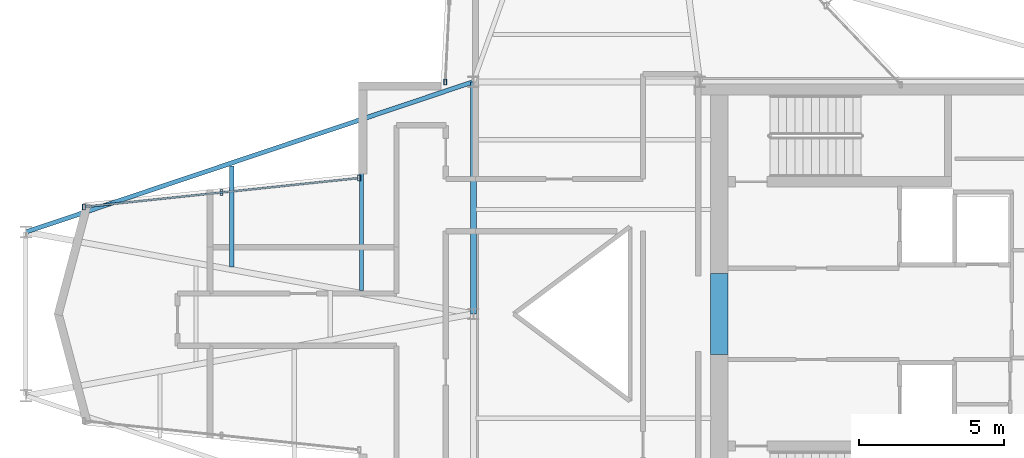
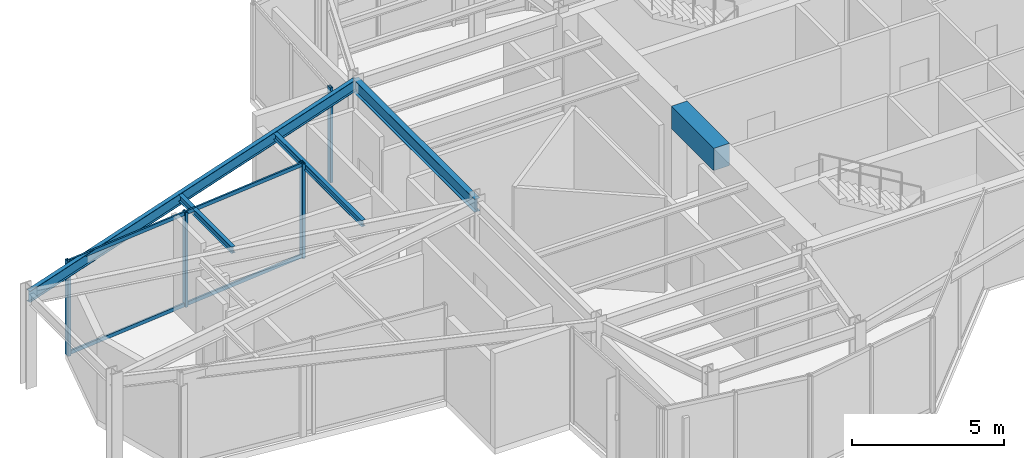
# One storey, part 4 of 13: 6 members, 5 beams, 2 elements without a shape of their own.
"""IFC4 building model written with IfcOpenShell, lengths in metres."""

from ifc_helpers import new_model, si_unit, direction, frame, origin, origin_2d, place, context, subcontext, project, spatial, rectangle, hollow_rectangle, i_section, extrude, material, layer, layer_set, material_profile, profile_set, type_object, element, aggregate, save


model = new_model("IFC4")

# Units and contexts
model_context = context("Model", 3, precision=1e-05, world=origin(), true_north=direction((0.0, 1.0)))
body_context = subcontext(model_context, "Body", "Model", "MODEL_VIEW")
ifc_project = project(units=[si_unit("LENGTHUNIT", "METRE"), si_unit("AREAUNIT", "SQUARE_METRE"), si_unit("VOLUMEUNIT", "CUBIC_METRE"), si_unit("PLANEANGLEUNIT", "RADIAN"), si_unit("MASSUNIT", "GRAM", prefix="KILO")], contexts=[model_context])

# Site, building, storey
site_placement = place(None, origin())
site = spatial("IfcSite", under=ifc_project, at=site_placement, CompositionType="ELEMENT")
building_placement = place(site_placement, origin())
building = spatial("IfcBuilding", under=site, at=building_placement, Name="Veymaron Broadcast Tower", CompositionType="ELEMENT")
storey_placement = place(building_placement, frame((0.0, 0.0, 291.14990234375)))
storey = spatial("IfcBuildingStorey", under=building, at=storey_placement, Name="L68", CompositionType="ELEMENT", Elevation=291.14990234375)

# Beams
ifc_material_1 = material(Name="Concrete C60/75", Category="concrete")
ifc_material_profile_1 = material_profile(ifc_material_1, rectangle(XDim=0.60009765625, YDim=0.89990234375, at=origin_2d()), Name="RC600X900")
ifc_profile_set_1 = profile_set([ifc_material_profile_1], Name="Concrete C60/75")
beam_type_1 = type_object("IfcBeamType", Name="BM-CB2", PredefinedType="LINTEL", material=ifc_profile_set_1)
beam_1_placement = place(storey_placement, frame((39.679931640625, 22.60009765625, 3.360107421875), z_axis=(0.0, 1.0, 0.0), x_axis=(-1.0, 0.0, 0.0)))
element("IfcBeam", 1, at=beam_1_placement, inside=storey, type_object=beam_type_1, Name="L68 Core Wall west coupling beam", PredefinedType="LINTEL", context=body_context, shape_type="SweptSolid", body=[
    extrude(rectangle(XDim=0.60009765625, YDim=0.89990234375, at=origin_2d()), origin(), (0.0, 0.0, 1.0), 2.7998046875),
])
ifc_material_2 = material(Name="Structural steel ASTM A992 Gr 50", Category="steel")
ifc_material_profile_2 = material_profile(ifc_material_2, i_section(OverallWidth=0.208984375, OverallDepth=0.528076171875, WebThickness=0.009521484375, FlangeThickness=0.01318359375, at=origin_2d()), Name="W530X82")
ifc_profile_set_2 = profile_set([ifc_material_profile_2], Name="Structural steel ASTM A992 Gr 50")
beam_type_2 = type_object("IfcBeamType", Name="BM-FG4", PredefinedType="BEAM", material=ifc_profile_set_2)
beam_2_placement = place(storey_placement, frame((31.199951171875, 24.0, 3.546142578125), z_axis=(0.0, 1.0, 0.0), x_axis=(-1.0, 0.0, 0.0)))
element("IfcBeam", 2, at=beam_2_placement, inside=storey, type_object=beam_type_2, Name="L68 primary structural floor girder", PredefinedType="BEAM", context=body_context, shape_type="SweptSolid", body=[
    extrude(i_section(OverallWidth=0.208984375, OverallDepth=0.528076171875, WebThickness=0.009521484375, FlangeThickness=0.01318359375, at=origin_2d()), origin(), (0.0, 0.0, 1.0), 8.0),
])
ifc_material_profile_3 = material_profile(ifc_material_2, i_section(OverallWidth=0.14599609375, OverallDepth=0.258056640625, WebThickness=0.006103515625, FlangeThickness=0.009033203125, at=origin_2d()), Name="W250X33")
ifc_profile_set_3 = profile_set([ifc_material_profile_3], Name="Structural steel ASTM A992 Gr 50")
beam_type_3 = type_object("IfcBeamType", Name="BM-JS4", PredefinedType="JOIST", material=ifc_profile_set_3)
beam_3_placement = place(storey_placement, frame((22.871337890625, 25.623779296875, 3.68115234375), z_axis=(0.0, 1.0, 0.0), x_axis=(-1.0, 0.0, 0.0)))
element("IfcBeam", 3, at=beam_3_placement, inside=storey, type_object=beam_type_3, Name="L68 Arm-A secondary joist 1N", PredefinedType="JOIST", context=body_context, shape_type="SweptSolid", body=[
    extrude(i_section(OverallWidth=0.14599609375, OverallDepth=0.258056640625, WebThickness=0.006103515625, FlangeThickness=0.009033203125, at=origin_2d()), origin(), (0.0, 0.0, 1.0), 3.480224609375),
])
beam_4_placement = place(storey_placement, frame((27.343994140625, 24.805419921875, 3.68115234375), z_axis=(0.0, 1.0, 0.0), x_axis=(-1.0, 0.0, 0.0)))
element("IfcBeam", 4, at=beam_4_placement, inside=storey, type_object=beam_type_3, Name="L68 Arm-A secondary joist 2N", PredefinedType="JOIST", context=body_context, shape_type="SweptSolid", body=[
    extrude(i_section(OverallWidth=0.14599609375, OverallDepth=0.258056640625, WebThickness=0.006103515625, FlangeThickness=0.009033203125, at=origin_2d()), origin(), (0.0, 0.0, 1.0), 5.800048828125),
])
ifc_material_profile_4 = material_profile(ifc_material_2, i_section(OverallWidth=0.154052734375, OverallDepth=0.458984375, WebThickness=0.009033203125, FlangeThickness=0.015380859375, at=origin_2d()), Name="W460X68")
ifc_profile_set_4 = profile_set([ifc_material_profile_4], Name="Structural steel ASTM A992 Gr 50")
beam_type_4 = type_object("IfcBeamType", Name="BM-SP2", PredefinedType="SPANDREL", material=ifc_profile_set_4)
beam_5_placement = place(storey_placement, frame((15.7763671875, 26.822021484375, 3.58056640625), z_axis=(0.948002845498, 0.318261849627, 0.0), x_axis=(-0.318261849627, 0.948002845498, 0.0)))
element("IfcBeam", 5, at=beam_5_placement, inside=storey, type_object=beam_type_4, Name="L68 primary structural floor girder", PredefinedType="SPANDREL", context=body_context, shape_type="SweptSolid", body=[
    extrude(i_section(OverallWidth=0.154052734375, OverallDepth=0.458984375, WebThickness=0.009033203125, FlangeThickness=0.015380859375, at=origin_2d()), origin(), (0.0, 0.0, 1.0), 16.26953125),
])

# Curtain wall, member
ifc_material_3 = material(Name="Anodised aluminium AA 6063-T6 and laminated low-E dark glass", Category="aluminium")
ifc_layer = layer(ifc_material_3, 0.179931640625)
ifc_layer_set = layer_set([ifc_layer], Name="Anodised aluminium AA 6063-T6 and laminated low-E dark glass")
curtain_wall_type = type_object("IfcCurtainWallType", Name="CW-SYS-06", PredefinedType="NOTDEFINED", material=ifc_layer_set)
curtain_wall_1_placement = place(storey_placement, origin())
curtain_wall_1 = element("IfcCurtainWall", 6, at=curtain_wall_1_placement, inside=storey, type_object=curtain_wall_type, Name="L68 dark-glass curtain wall CW-L68-E8-1", PredefinedType="NOTDEFINED")
ifc_material_4 = material(Name="Anodised aluminium AA 6063-T6", Category="aluminium")
ifc_material_profile_5 = material_profile(ifc_material_4, hollow_rectangle(XDim=0.10009765625, YDim=0.199951171875, WallThickness=0.010009765625, at=origin_2d()), Name="RHS200X100X10")
ifc_profile_set_5 = profile_set([ifc_material_profile_5], Name="Anodised aluminium AA 6063-T6")
member_type_1 = type_object("IfcMemberType", Name="CW-MUL-01", PredefinedType="MULLION", material=ifc_profile_set_5)
member_1_placement = place(storey_placement, frame((30.23046875, 31.992919921875, 0.0), z_axis=(0.0, 0.0, 1.0), x_axis=(1.0, 0.0, 0.0)))
member_1 = element("IfcMember", 7, at=member_1_placement, type_object=member_type_1, Name="CW-L68-E8-1 mullion 2", PredefinedType="MULLION", context=body_context, shape_type="SweptSolid", body=[
    extrude(hollow_rectangle(XDim=0.10009765625, YDim=0.199951171875, WallThickness=0.010009765625, at=origin_2d()), origin(), (0.0, 0.0, 1.0), 3.81005859375),
])
aggregate(curtain_wall_1, [member_1])

# Curtain wall, members
curtain_wall_2_placement = place(storey_placement, origin())
curtain_wall_2 = element("IfcCurtainWall", 8, at=curtain_wall_2_placement, inside=storey, type_object=curtain_wall_type, Name="L68 dark-glass curtain wall CW-L68-E11-1", PredefinedType="NOTDEFINED")
member_2_placement = place(storey_placement, frame((27.26416015625, 28.683837890625, 0.0), z_axis=(0.0, 0.0, 1.0), x_axis=(1.0, 0.0, 0.0)))
member_2 = element("IfcMember", 9, at=member_2_placement, type_object=member_type_1, Name="CW-L68-E11-1 mullion 0", PredefinedType="MULLION", context=body_context, shape_type="SweptSolid", body=[
    extrude(hollow_rectangle(XDim=0.10009765625, YDim=0.199951171875, WallThickness=0.010009765625, at=origin_2d()), origin(), (0.0, 0.0, 1.0), 3.81005859375),
])
member_3_placement = place(storey_placement, frame((22.519287109375, 28.18505859375, 0.0), z_axis=(0.0, 0.0, 1.0), x_axis=(1.0, 0.0, 0.0)))
member_3 = element("IfcMember", 10, at=member_3_placement, type_object=member_type_1, Name="CW-L68-E11-1 mullion 1", PredefinedType="MULLION", context=body_context, shape_type="SweptSolid", body=[
    extrude(hollow_rectangle(XDim=0.10009765625, YDim=0.199951171875, WallThickness=0.010009765625, at=origin_2d()), origin(), (0.0, 0.0, 1.0), 3.81005859375),
])
member_4_placement = place(storey_placement, frame((17.774658203125, 27.68603515625, 0.0), z_axis=(0.0, 0.0, 1.0), x_axis=(1.0, 0.0, 0.0)))
member_4 = element("IfcMember", 11, at=member_4_placement, type_object=member_type_1, Name="CW-L68-E11-1 mullion 2", PredefinedType="MULLION", context=body_context, shape_type="SweptSolid", body=[
    extrude(hollow_rectangle(XDim=0.10009765625, YDim=0.199951171875, WallThickness=0.010009765625, at=origin_2d()), origin(), (0.0, 0.0, 1.0), 3.81005859375),
])
ifc_material_profile_6 = material_profile(ifc_material_4, hollow_rectangle(XDim=0.06494140625, YDim=0.14990234375, WallThickness=0.00390625, at=origin_2d()), Name="AL150X65X4")
ifc_profile_set_6 = profile_set([ifc_material_profile_6], Name="Anodised aluminium AA 6063-T6")
member_type_2 = type_object("IfcMemberType", Name="CW-TRN-01", PredefinedType="USERDEFINED", material=ifc_profile_set_6)
member_5_placement = place(storey_placement, frame((27.214599609375, 28.6787109375, 0.070068359375), z_axis=(-0.99451819669, -0.104563647854, 0.0), x_axis=(0.104563647854, -0.99451819669, 0.0)))
member_5 = element("IfcMember", 12, at=member_5_placement, type_object=member_type_2, Name="CW-L68-E11-1 transom B", ObjectType="TRANSOM", PredefinedType="USERDEFINED", context=body_context, shape_type="SweptSolid", body=[
    extrude(hollow_rectangle(XDim=0.06494140625, YDim=0.14990234375, WallThickness=0.00390625, at=origin_2d()), origin(), (0.0, 0.0, 1.0), 9.442138671875),
])
member_6_placement = place(storey_placement, frame((27.214599609375, 28.6787109375, 3.739990234375), z_axis=(-0.99451819669, -0.104563647854, 0.0), x_axis=(0.104563647854, -0.99451819669, 0.0)))
member_6 = element("IfcMember", 13, at=member_6_placement, type_object=member_type_2, Name="CW-L68-E11-1 transom T", ObjectType="TRANSOM", PredefinedType="USERDEFINED", context=body_context, shape_type="SweptSolid", body=[
    extrude(hollow_rectangle(XDim=0.06494140625, YDim=0.14990234375, WallThickness=0.00390625, at=origin_2d()), origin(), (0.0, 0.0, 1.0), 9.442138671875),
])
aggregate(curtain_wall_2, [member_2, member_3, member_4, member_5, member_6])

save(model, "model.ifc")
